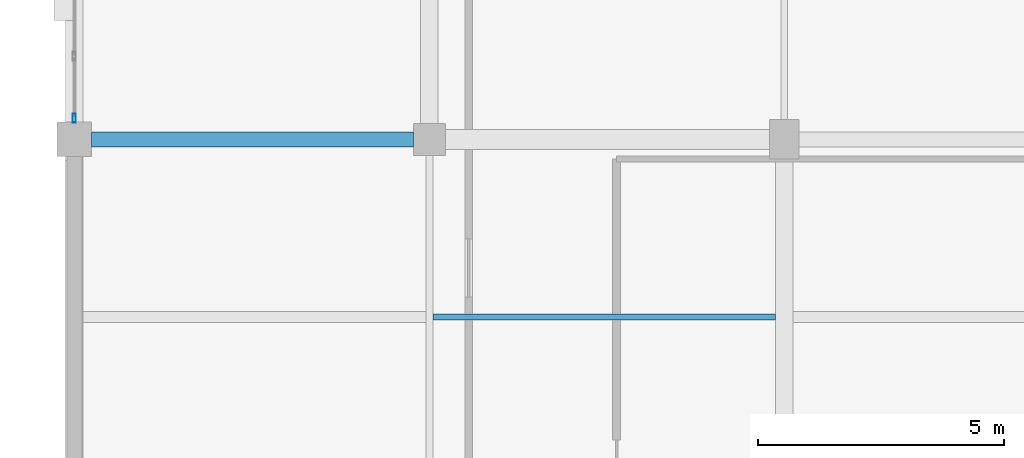
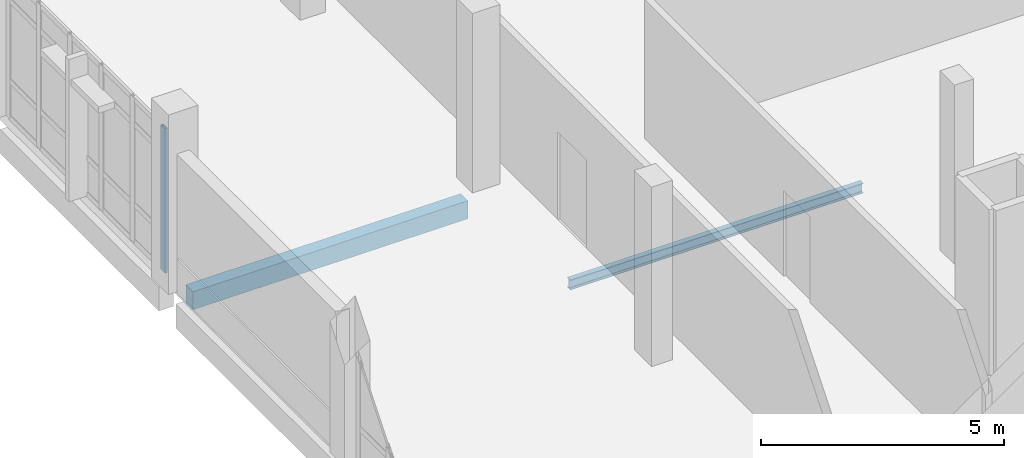
# One storey, part 11 of 116: 2 beams, 1 member, 1 element without a shape of its own.
"""IFC4 building model written with IfcOpenShell, lengths in metres."""

import ifcopenshell
import ifcopenshell.guid

model = None  # the IFC model being written
_history = None  # IfcOwnerHistory: only IFC2X3 demands one
_inside = {}  # id of a spatial element -> (the spatial element, [elements in it])
_under = {}  # id of a project, library or spatial element -> (it, [spatial elements below it])
_declared = {}  # id of a project -> (the project, [libraries it declares])
_typed = {}  # id of a type object -> (the type object, [elements of that type])
_made_of = {}  # id of a material, layer set ... -> (it, [elements and type objects made of it])


def new_model(schema):
    """Start an empty IFC model of exactly this schema.

    Asked for "IFC4X3", IfcOpenShell would pick the latest addendum, in which some entities
    have other attributes; the version numbers below select the first issue.
    IFC2X3 requires an IfcOwnerHistory on every rooted entity: one is made here for all.
    """
    global model, _history
    if schema == "IFC4X3":
        model = ifcopenshell.file(schema_version=(4, 3, 0, 0))
    else:
        model = ifcopenshell.file(schema=schema)
    _inside.clear()
    _under.clear()
    _declared.clear()
    _typed.clear()
    _made_of.clear()
    _history = None
    if model.schema == "IFC2X3":
        org = make("IfcOrganization", Name="unknown")
        user = make(
            "IfcPersonAndOrganization",
            ThePerson=make("IfcPerson", FamilyName="unknown"),
            TheOrganization=org,
        )
        app = make(
            "IfcApplication",
            ApplicationDeveloper=org,
            Version="unknown",
            ApplicationFullName="unknown",
            ApplicationIdentifier="unknown",
        )
        _history = make(
            "IfcOwnerHistory",
            OwningUser=user,
            OwningApplication=app,
            ChangeAction="ADDED",
            CreationDate=0,
        )
    return model


def make(cls, **values):
    """One entity of the class cls with the attributes given. An attribute that is None is left unset."""
    return model.create_entity(
        cls, **{name: value for name, value in values.items() if value is not None}
    )


def rooted(cls, **values):
    """An entity with a GlobalId (a new one), such as an element, a storey or a relation."""
    return make(cls, GlobalId=ifcopenshell.guid.new(), OwnerHistory=_history, **values)


def si_unit(unit_type, name, prefix=None):
    """IfcSIUnit, for example si_unit("LENGTHUNIT", "METRE", prefix="MILLI")."""
    return make("IfcSIUnit", UnitType=unit_type, Prefix=prefix, Name=name)


def assignment(units):
    """IfcUnitAssignment: the units of a project."""
    return None if units is None else make("IfcUnitAssignment", Units=units)


def point(xyz):
    """IfcCartesianPoint."""
    return None if xyz is None else make("IfcCartesianPoint", Coordinates=xyz)


def direction(xyz):
    """IfcDirection."""
    return None if xyz is None else make("IfcDirection", DirectionRatios=xyz)


def frame(location, z_axis=None, x_axis=None):
    """IfcAxis2Placement3D, a coordinate frame: its origin and axes. An axis left out is left unset."""
    return make(
        "IfcAxis2Placement3D",
        Location=point(location),
        Axis=direction(z_axis),
        RefDirection=direction(x_axis),
    )


def frame_2d(location, x_axis=None):
    """IfcAxis2Placement2D, a coordinate frame in the plane: its origin and x axis."""
    return make(
        "IfcAxis2Placement2D", Location=point(location), RefDirection=direction(x_axis)
    )


def origin():
    """The frame at (0, 0, 0) with its axes left unset."""
    return frame((0.0, 0.0, 0.0))


def origin_2d():
    """The frame at (0, 0) in the plane with its x axis left unset."""
    return frame_2d((0.0, 0.0))


def place(relative_to, where):
    """IfcLocalPlacement: puts the frame where relative to a parent placement (None: the world)."""
    return make(
        "IfcLocalPlacement", PlacementRelTo=relative_to, RelativePlacement=where
    )


def context(
    kind, dimensions, precision=None, world=None, true_north=None, identifier=None
):
    """IfcGeometricRepresentationContext, for example the 3D "Model" context."""
    return make(
        "IfcGeometricRepresentationContext",
        ContextIdentifier=identifier,
        ContextType=kind,
        CoordinateSpaceDimension=dimensions,
        Precision=precision,
        WorldCoordinateSystem=world,
        TrueNorth=true_north,
    )


def subcontext(parent, identifier, kind, view, scale=None):
    """IfcGeometricRepresentationSubContext, for example "Body" below "Model"."""
    return make(
        "IfcGeometricRepresentationSubContext",
        ContextIdentifier=identifier,
        ContextType=kind,
        ParentContext=parent,
        TargetScale=scale,
        TargetView=view,
    )


def project(units=None, contexts=None):
    """IfcProject with its units and contexts."""
    return rooted(
        "IfcProject",
        Name="project",
        RepresentationContexts=contexts,
        UnitsInContext=assignment(units),
    )


def spatial(cls, under=None, at=None, **own):
    """A site, building, storey or space (cls), placed at a placement, below another one or the project."""
    s = rooted(cls, ObjectPlacement=at, **own)
    if under is not None:
        _under.setdefault(under.id(), (under, []))[1].append(s)
    return s


def profile(cls, at=None, kind="AREA", **sizes):
    """A parametric profile (cls). Its sizes go by their IFC names, for example OverallWidth=200.0."""
    return make(cls, ProfileType=kind, Position=at, **sizes)


def rectangle(**sizes):
    """IfcRectangleProfileDef."""
    return profile("IfcRectangleProfileDef", **sizes)


def hollow_rectangle(**sizes):
    """IfcRectangleHollowProfileDef."""
    return profile("IfcRectangleHollowProfileDef", **sizes)


def i_section(**sizes):
    """IfcIShapeProfileDef."""
    return profile("IfcIShapeProfileDef", **sizes)


def extrude(swept, where, along, depth):
    """IfcExtrudedAreaSolid: the profile swept, set in the frame where, extruded along a direction by depth."""
    return make(
        "IfcExtrudedAreaSolid",
        SweptArea=swept,
        Position=where,
        ExtrudedDirection=direction(along),
        Depth=depth,
    )


def shape(context_of_items, identifier, shape_type, items):
    """IfcShapeRepresentation: the items that make up one representation, for example the "Body"."""
    return make(
        "IfcShapeRepresentation",
        ContextOfItems=context_of_items,
        RepresentationIdentifier=identifier,
        RepresentationType=shape_type,
        Items=items,
    )


def material(Name=None, Category=None):
    """IfcMaterial."""
    return make("IfcMaterial", Name=Name, Category=Category)


def material_profile(
    of_material, cross_section, Name=None, Category=None, Priority=None
):
    """IfcMaterialProfile: a cross section and its material."""
    return make(
        "IfcMaterialProfile",
        Name=Name,
        Material=of_material,
        Profile=cross_section,
        Priority=Priority,
        Category=Category,
    )


def profile_set(profiles, Name=None, composite=None):
    """IfcMaterialProfileSet."""
    return make(
        "IfcMaterialProfileSet",
        Name=Name,
        MaterialProfiles=profiles,
        CompositeProfile=composite,
    )


def made_of(thing, what):
    """Note that an element or type object is made of a material, layer set ...; save() writes the relation."""
    if what is not None:
        _made_of.setdefault(what.id(), (what, []))[1].append(thing)
    return thing


def type_object(cls, material=None, **own):
    """A type object (cls), such as IfcWallType, which elements share."""
    return made_of(rooted(cls, **own), material)


def element(
    cls,
    number,
    at=None,
    inside=None,
    cuts=None,
    type_object=None,
    material=None,
    context=None,
    identifier="Body",
    shape_type=None,
    held_by="IfcProductDefinitionShape",
    body=None,
    shapes=None,
    **own,
):
    """One element of the class cls, such as IfcWall. Its Tag is "e" and its number.

    at: its placement. inside: the storey or other place that contains it. cuts: it is an
    opening in that element (IfcRelVoidsElement). A single representation is given by context,
    identifier, shape_type and body (its items); several are given by shapes. held_by: the class
    of the entity that holds the representations. save() writes the other relations.
    """
    e = rooted(cls, Tag="e%d" % number, ObjectPlacement=at, **own)
    if body is not None:
        shapes = [shape(context, identifier, shape_type, body)]
    if shapes is not None:
        e.Representation = make(held_by, Representations=shapes)
    if inside is not None:
        _inside.setdefault(inside.id(), (inside, []))[1].append(e)
    if cuts is not None:
        rooted(
            "IfcRelVoidsElement", RelatingBuildingElement=cuts, RelatedOpeningElement=e
        )
    if type_object is not None:
        _typed.setdefault(type_object.id(), (type_object, []))[1].append(e)
    return made_of(e, material)


def aggregate(whole, parts):
    """IfcRelAggregates: a whole, such as a stair, and the parts it consists of."""
    return rooted("IfcRelAggregates", RelatingObject=whole, RelatedObjects=parts)


def save(model, path):
    """Write the relations noted so far, then the file.

    IfcRelAggregates (storeys below a building ...), IfcRelContainedInSpatialStructure (elements
    in a storey), IfcRelDefinesByType, IfcRelAssociatesMaterial and IfcRelDeclares: one each for
    every whole, place, type object, material and project.
    """
    for whole, parts in _under.values():
        aggregate(whole, parts)
    for where, things in _inside.values():
        rooted(
            "IfcRelContainedInSpatialStructure",
            RelatedElements=things,
            RelatingStructure=where,
        )
    for kind, things in _typed.values():
        rooted("IfcRelDefinesByType", RelatedObjects=things, RelatingType=kind)
    for what, things in _made_of.values():
        rooted("IfcRelAssociatesMaterial", RelatedObjects=things, RelatingMaterial=what)
    for by, libraries in _declared.values():
        rooted("IfcRelDeclares", RelatingContext=by, RelatedDefinitions=libraries)
    model.write(path)


model = new_model("IFC4")

# Units and contexts
model_context = context("Model", 3, precision=1e-05, world=origin(), true_north=direction((0.0, 1.0)))
body_context = subcontext(model_context, "Body", "Model", "MODEL_VIEW")
ifc_project = project(units=[si_unit("LENGTHUNIT", "METRE"), si_unit("AREAUNIT", "SQUARE_METRE"), si_unit("VOLUMEUNIT", "CUBIC_METRE"), si_unit("PLANEANGLEUNIT", "RADIAN"), si_unit("MASSUNIT", "GRAM", prefix="KILO")], contexts=[model_context])

# Site, building, storey
site_placement = place(None, origin())
site = spatial("IfcSite", under=ifc_project, at=site_placement, CompositionType="ELEMENT")
building_placement = place(site_placement, origin())
building = spatial("IfcBuilding", under=site, at=building_placement, Name="Kalluvel Institute of Natural Sciences", CompositionType="ELEMENT")
storey_placement = place(building_placement, frame((0.0, 0.0, 14.39990234375)))
storey = spatial("IfcBuildingStorey", under=building, at=storey_placement, Name="L03", CompositionType="ELEMENT", Elevation=14.39990234375)

# Curtain wall, member
ifc_material_1 = material(Name="Aluminium AW-6063 T6", Category="aluminium")
curtain_wall_type = type_object("IfcCurtainWallType", Name="CW-DRY-45", PredefinedType="USERDEFINED", material=ifc_material_1)
curtain_wall_placement = place(storey_placement, origin())
curtain_wall = element("IfcCurtainWall", 1, at=curtain_wall_placement, inside=storey, type_object=curtain_wall_type, Name="L03 Gothic lancet curtain wall CWA-L03-X140-Y288", ObjectType="UNITISED LANCET FACADE", PredefinedType="USERDEFINED")
ifc_material_profile_1 = material_profile(ifc_material_1, hollow_rectangle(XDim=0.06494140625, YDim=0.179931640625, WallThickness=0.00439453125, at=origin_2d()), Name="CWM 65x180")
ifc_profile_set_1 = profile_set([ifc_material_profile_1], Name="Aluminium AW-6063 T6")
member_type = type_object("IfcMemberType", Name="CWM-65x180", PredefinedType="MULLION", material=ifc_profile_set_1)
member_placement = place(storey_placement, frame((14.0, 28.83251953125, 0.0), z_axis=(0.0, 0.0, 1.0), x_axis=(-1.0, 0.0, 0.0)))
member = element("IfcMember", 2, at=member_placement, type_object=member_type, Name="CW-03 mullion 1", PredefinedType="MULLION", context=body_context, shape_type="SweptSolid", body=[
    extrude(hollow_rectangle(XDim=0.06494140625, YDim=0.179931640625, WallThickness=0.00439453125, at=origin_2d()), origin(), (0.0, 0.0, 1.0), 3.6201171875),
])
aggregate(curtain_wall, [member])

# Beams
ifc_material_2 = material(Name="Concrete M40", Category="concrete")
ifc_material_profile_2 = material_profile(ifc_material_2, rectangle(XDim=0.300048828125, YDim=0.449951171875, at=origin_2d()), Name="RCB 300x450")
ifc_profile_set_2 = profile_set([ifc_material_profile_2], Name="Concrete M40")
beam_type_1 = type_object("IfcBeamType", Name="SP-RC300x450", PredefinedType="SPANDREL", material=ifc_profile_set_2)
beam_1_placement = place(storey_placement, frame((14.35009765625, 28.39990234375, -0.52490234375), z_axis=(1.0, 0.0, 0.0), x_axis=(0.0, 1.0, 0.0)))
element("IfcBeam", 3, at=beam_1_placement, inside=storey, type_object=beam_type_1, Name="L03 girder GIR-L03-EW-X140-Y284", PredefinedType="SPANDREL", context=body_context, shape_type="SweptSolid", body=[
    extrude(rectangle(XDim=0.300048828125, YDim=0.449951171875, at=origin_2d()), origin(), (0.0, 0.0, 1.0), 6.52490234375),
])
ifc_material_3 = material(Name="Steel E350 Grade 350", Category="steel")
ifc_material_profile_3 = material_profile(ifc_material_3, i_section(OverallWidth=0.125, OverallDepth=0.25, WebThickness=0.0068359375, FlangeThickness=0.012451171875, FilletRadius=0.012939453125, at=origin_2d()), Name="ISMB 250")
ifc_profile_set_3 = profile_set([ifc_material_profile_3], Name="Steel E350 Grade 350")
beam_type_2 = type_object("IfcBeamType", Name="WJ-ISMB250", PredefinedType="JOIST", material=ifc_profile_set_3)
beam_2_placement = place(storey_placement, frame((21.27001953125, 24.800048828125, -0.4248046875), z_axis=(1.0, 0.0, 0.0), x_axis=(0.0, 1.0, 0.0)))
element("IfcBeam", 4, at=beam_2_placement, inside=storey, type_object=beam_type_2, Name="L03 floor rib RIB-L03-0683", PredefinedType="JOIST", context=body_context, shape_type="SweptSolid", body=[
    extrude(i_section(OverallWidth=0.125, OverallDepth=0.25, WebThickness=0.0068359375, FlangeThickness=0.012451171875, FilletRadius=0.012939453125, at=origin_2d()), origin(), (0.0, 0.0, 1.0), 6.955078125),
])

save(model, "model.ifc")
